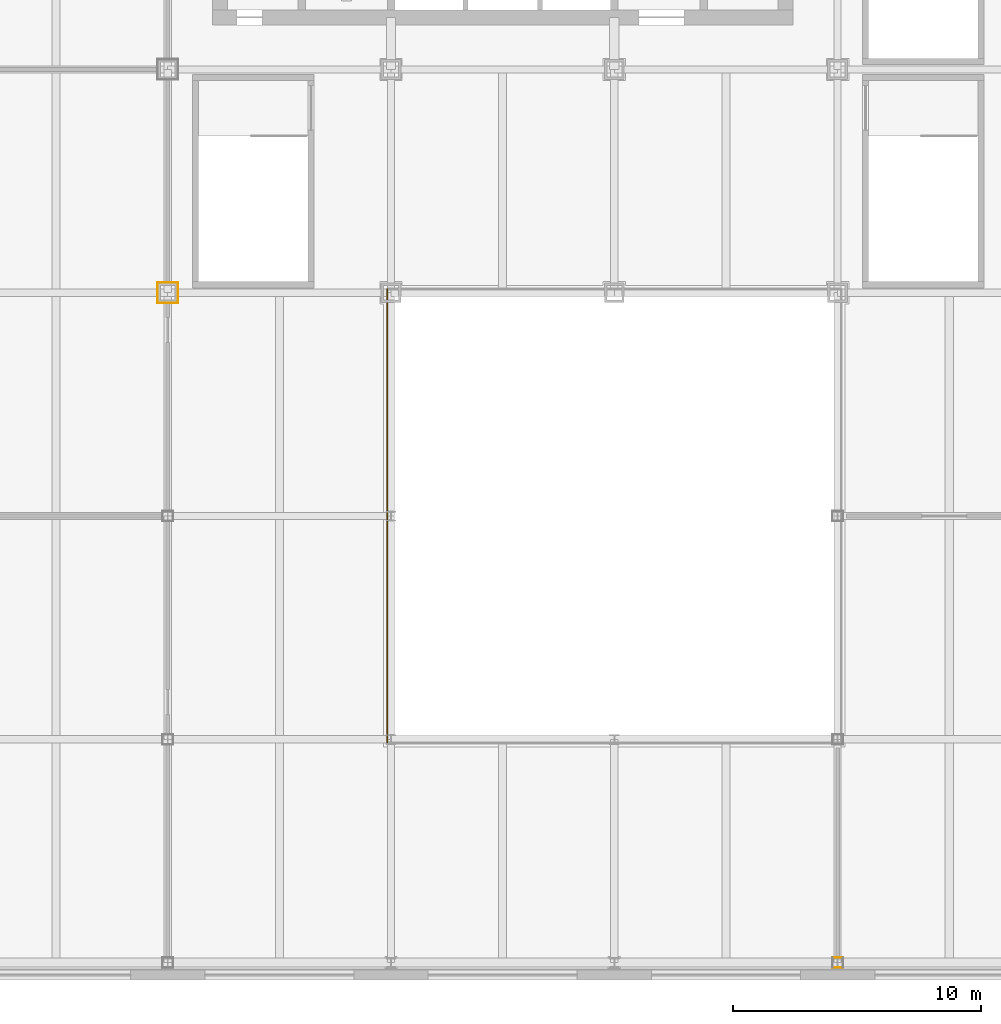
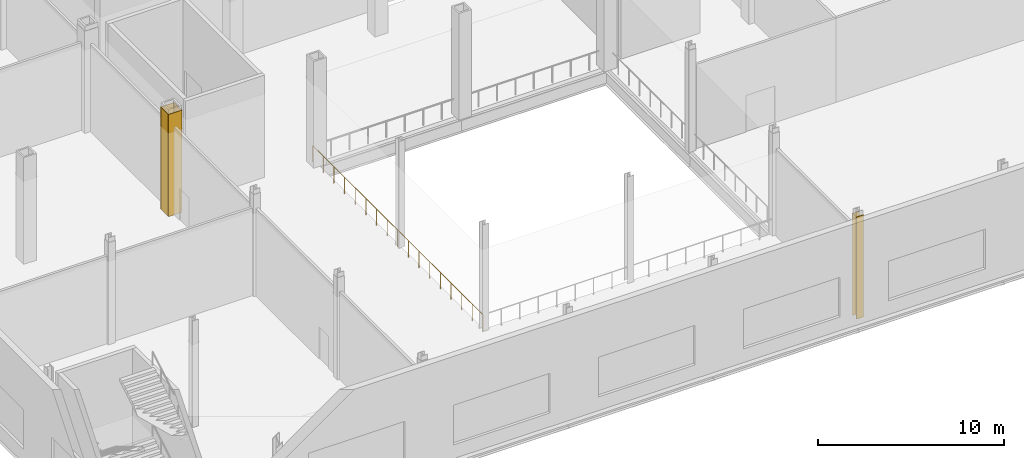
# One storey, part 20 of 32: 6 coverings, 1 railing.
"""IFC4 building model written with IfcOpenShell, lengths in metres."""

from ifc_helpers import new_model, si_unit, direction, frame, origin, origin_2d, place, context, subcontext, project, spatial, rectangle, circle, extrude, material, layer, layer_set, type_object, element, save


model = new_model("IFC4")

# Units and contexts
model_context = context("Model", 3, precision=1e-05, world=origin(), true_north=direction((0.0, 1.0)))
body_context = subcontext(model_context, "Body", "Model", "MODEL_VIEW")
ifc_project = project(units=[si_unit("LENGTHUNIT", "METRE"), si_unit("AREAUNIT", "SQUARE_METRE"), si_unit("VOLUMEUNIT", "CUBIC_METRE"), si_unit("PLANEANGLEUNIT", "RADIAN"), si_unit("MASSUNIT", "GRAM", prefix="KILO")], contexts=[model_context])

# Site, building, storey
site_placement = place(None, origin())
site = spatial("IfcSite", under=ifc_project, at=site_placement, CompositionType="ELEMENT")
building_placement = place(site_placement, origin())
building = spatial("IfcBuilding", under=site, at=building_placement, Name="Loomwork Tower", CompositionType="ELEMENT")
storey_placement = place(building_placement, frame((0.0, 0.0, 16.0)))
storey = spatial("IfcBuildingStorey", under=building, at=storey_placement, Name="L03", CompositionType="ELEMENT", Elevation=16.0)

# Coverings
ifc_material_1 = material(Name="Two-hour fire-rated gypsum board casing")
ifc_layer = layer(ifc_material_1, 0.02490234375)
ifc_layer_set = layer_set([ifc_layer], Name="Column fire casing 25")
covering_type = type_object("IfcCoveringType", Name="Column fire casing 25", PredefinedType="CLADDING", material=ifc_layer_set)
for number, where, z_axis, x_axis, name in (
    (1, (9.0, 0.41259765625, 0.0), (0.0, 0.0, 1.0), (1.0, 0.0, 0.0), "Column casing 9 0 L03"),
    (2, (9.0, -0.41259765625, 0.0), (0.0, 0.0, 1.0), (1.0, 0.0, 0.0), "Column casing 9 0 L03"),
):
    element("IfcCovering", number, at=place(storey_placement, frame(where, z_axis=z_axis, x_axis=x_axis)), inside=storey, type_object=covering_type, Name=name, PredefinedType="CLADDING", context=body_context, shape_type="SweptSolid", body=[
        extrude(rectangle(XDim=0.85009765625, YDim=0.02490234375, at=origin_2d()), origin(), (0.0, 0.0, 1.0), 6.699951171875),
    ])
for number, where, z_axis, x_axis, name in (
    (3, (9.41259765625, 0.0, 0.0), (0.0, 0.0, 1.0), (1.0, 0.0, 0.0), "Column casing 9 0 L03"),
    (4, (8.58740234375, 0.0, 0.0), (0.0, 0.0, 1.0), (1.0, 0.0, 0.0), "Column casing 9 0 L03"),
):
    element("IfcCovering", number, at=place(storey_placement, frame(where, z_axis=z_axis, x_axis=x_axis)), inside=storey, type_object=covering_type, Name=name, PredefinedType="CLADDING", context=body_context, shape_type="SweptSolid", body=[
        extrude(rectangle(XDim=0.02490234375, YDim=0.800048828125, at=origin_2d()), origin(), (0.0, 0.0, 1.0), 6.699951171875),
    ])
for number, where, z_axis, x_axis, name in (
    (5, (36.0, -26.799560546875, 0.0), (0.0, 0.0, 1.0), (1.0, 0.0, 0.0), "Column casing 36 -27 L03"),
    (6, (36.0, -27.200439453125, 0.0), (0.0, 0.0, 1.0), (1.0, 0.0, 0.0), "Column casing 36 -27 L03"),
):
    element("IfcCovering", number, at=place(storey_placement, frame(where, z_axis=z_axis, x_axis=x_axis)), inside=storey, type_object=covering_type, Name=name, PredefinedType="CLADDING", context=body_context, shape_type="SweptSolid", body=[
        extrude(rectangle(XDim=0.443603515625, YDim=0.02490234375, at=origin_2d()), origin(), (0.0, 0.0, 1.0), 6.699951171875),
    ])

# Railing
ifc_material_2 = material(Name="Stainless steel and laminated glass guard", Category="steel")
railing_type = type_object("IfcRailingType", Name="Guard 1100", PredefinedType="GUARDRAIL", material=ifc_material_2)
railing_placement = place(storey_placement, frame((17.85009765625, 0.14990234375, 0.0)))
element("IfcRailing", 7, at=railing_placement, inside=storey, type_object=railing_type, Name="Atrium guard W L03", PredefinedType="GUARDRAIL", context=body_context, shape_type="SweptSolid", body=[
    extrude(circle(Radius=0.02392578125, at=origin_2d()), frame((0.0, 0.0, 1.076171875), z_axis=(0.0, -1.0, 0.0), x_axis=(1.0, 0.0, 0.0)), (0.0, 0.0, 1.0), 18.2998046875),
    extrude(circle(Radius=0.02099609375, at=origin_2d()), origin(), (0.0, 0.0, 1.0), 1.052001953125),
    extrude(circle(Radius=0.02099609375, at=origin_2d()), frame((0.0, -1.143798828125, 0.0)), (0.0, 0.0, 1.0), 1.052001953125),
    extrude(circle(Radius=0.02099609375, at=origin_2d()), frame((0.0, -2.28759765625, 0.0)), (0.0, 0.0, 1.0), 1.052001953125),
    extrude(circle(Radius=0.02099609375, at=origin_2d()), frame((0.0, -3.43115234375, 0.0)), (0.0, 0.0, 1.0), 1.052001953125),
    extrude(circle(Radius=0.02099609375, at=origin_2d()), frame((0.0, -4.574951171875, 0.0)), (0.0, 0.0, 1.0), 1.052001953125),
    extrude(circle(Radius=0.02099609375, at=origin_2d()), frame((0.0, -5.71875, 0.0)), (0.0, 0.0, 1.0), 1.052001953125),
    extrude(circle(Radius=0.02099609375, at=origin_2d()), frame((0.0, -6.8623046875, 0.0)), (0.0, 0.0, 1.0), 1.052001953125),
    extrude(circle(Radius=0.02099609375, at=origin_2d()), frame((0.0, -8.006103515625, 0.0)), (0.0, 0.0, 1.0), 1.052001953125),
    extrude(circle(Radius=0.02099609375, at=origin_2d()), frame((0.0, -9.14990234375, 0.0)), (0.0, 0.0, 1.0), 1.052001953125),
    extrude(circle(Radius=0.02099609375, at=origin_2d()), frame((0.0, -10.293701171875, 0.0)), (0.0, 0.0, 1.0), 1.052001953125),
    extrude(circle(Radius=0.02099609375, at=origin_2d()), frame((0.0, -11.4375, 0.0)), (0.0, 0.0, 1.0), 1.052001953125),
    extrude(circle(Radius=0.02099609375, at=origin_2d()), frame((0.0, -12.5810546875, 0.0)), (0.0, 0.0, 1.0), 1.052001953125),
    extrude(circle(Radius=0.02099609375, at=origin_2d()), frame((0.0, -13.724853515625, 0.0)), (0.0, 0.0, 1.0), 1.052001953125),
    extrude(circle(Radius=0.02099609375, at=origin_2d()), frame((0.0, -14.86865234375, 0.0)), (0.0, 0.0, 1.0), 1.052001953125),
    extrude(circle(Radius=0.02099609375, at=origin_2d()), frame((0.0, -16.01220703125, 0.0)), (0.0, 0.0, 1.0), 1.052001953125),
    extrude(circle(Radius=0.02099609375, at=origin_2d()), frame((0.0, -17.156005859375, 0.0)), (0.0, 0.0, 1.0), 1.052001953125),
    extrude(circle(Radius=0.02099609375, at=origin_2d()), frame((0.0, -18.2998046875, 0.0)), (0.0, 0.0, 1.0), 1.052001953125),
])

save(model, "model.ifc")
